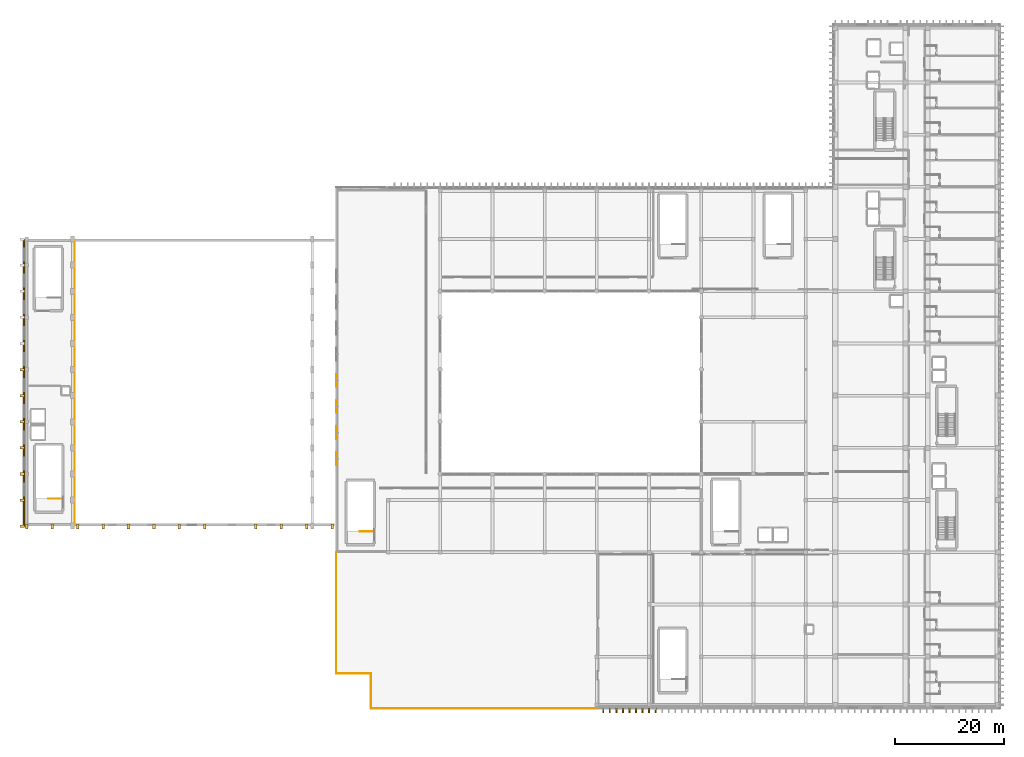
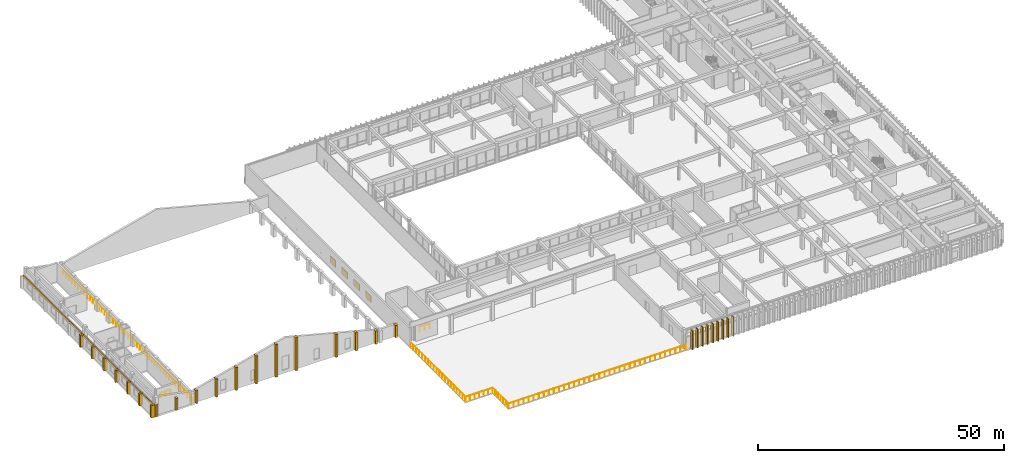
# One storey, part 89 of 101: 28 coverings, 13 shading devices, 4 railings.
"""IFC4 building model written with IfcOpenShell, lengths in metres."""

from ifc_helpers import new_model, si_unit, direction, frame, origin, origin_2d, place, context, subcontext, project, spatial, rectangle, circle, extrude, material, layer, layer_set, type_object, element, save


model = new_model("IFC4")

# Units and contexts
model_context = context("Model", 3, precision=1e-05, world=origin(), true_north=direction((0.0, 1.0)))
body_context = subcontext(model_context, "Body", "Model", "MODEL_VIEW")
ifc_project = project(units=[si_unit("LENGTHUNIT", "METRE"), si_unit("AREAUNIT", "SQUARE_METRE"), si_unit("VOLUMEUNIT", "CUBIC_METRE"), si_unit("PLANEANGLEUNIT", "RADIAN"), si_unit("MASSUNIT", "GRAM", prefix="KILO")], contexts=[model_context])

# Site, building, storey
site_placement = place(None, origin())
site = spatial("IfcSite", under=ifc_project, at=site_placement, CompositionType="ELEMENT")
building_placement = place(site_placement, origin())
building = spatial("IfcBuilding", under=site, at=building_placement, Name="Nakhvara Creek Congress Hotel", CompositionType="ELEMENT")
storey_placement = place(building_placement, frame((0.0, 0.0, 16.199951171875)))
storey = spatial("IfcBuildingStorey", under=building, at=storey_placement, Name="L03", CompositionType="ELEMENT", Elevation=16.199951171875)

# Coverings
ifc_material_1 = material(Name="Honed pale Omani limestone architectural cladding", Category="masonry")
ifc_layer_1 = layer(ifc_material_1, 0.239990234375)
ifc_layer_set_1 = layer_set([ifc_layer_1], Name="Honed pale Omani limestone architectural cladding")
covering_type_1 = type_object("IfcCoveringType", Name="COV-ARCH-240", PredefinedType="CLADDING", material=ifc_layer_set_1)
covering_1_placement = place(storey_placement, frame((0.2099609375, 60.0, 2.419921875), z_axis=(0.0, 0.0, 1.0), x_axis=(0.0, 1.0, 0.0)))
element("IfcCovering", 1, at=covering_1_placement, inside=storey, type_object=covering_type_1, Name="Pale Limestone Spandrel Band CF04-0040", PredefinedType="CLADDING", context=body_context, shape_type="SweptSolid", body=[
    extrude(rectangle(XDim=52.800048828125, YDim=0.260009765625, at=origin_2d()), origin(), (0.0, 0.0, 1.0), 0.580078125),
])
ifc_layer_2 = layer(ifc_material_1, 0.449951171875)
ifc_layer_set_2 = layer_set([ifc_layer_2], Name="Honed pale Omani limestone architectural cladding")
covering_type_2 = type_object("IfcCoveringType", Name="COV-BUTT-850", PredefinedType="CLADDING", material=ifc_layer_set_2)
for number, where, z_axis, x_axis, name in (
    (2, (-0.06494140625, 33.60009765625, 0.0), (0.0, 0.0, 1.0), (0.0, 1.0, 0.0), "Gothic Limestone Buttress Pier CF03-0509"),
    (3, (-0.06494140625, 38.39990234375, 0.0), (0.0, 0.0, 1.0), (0.0, 1.0, 0.0), "Gothic Limestone Buttress Pier CF03-0510"),
    (4, (-0.06494140625, 43.199951171875, 0.0), (0.0, 0.0, 1.0), (0.0, 1.0, 0.0), "Gothic Limestone Buttress Pier CF03-0511"),
    (5, (-0.06494140625, 48.0, 0.0), (0.0, 0.0, 1.0), (0.0, 1.0, 0.0), "Gothic Limestone Buttress Pier CF03-0512"),
    (6, (-0.06494140625, 52.800048828125, 0.0), (0.0, 0.0, 1.0), (0.0, 1.0, 0.0), "Gothic Limestone Buttress Pier CF03-0513"),
    (7, (-0.06494140625, 57.60009765625, 0.0), (0.0, 0.0, 1.0), (0.0, 1.0, 0.0), "Gothic Limestone Buttress Pier CF03-0514"),
    (8, (-0.06494140625, 62.39990234375, 0.0), (0.0, 0.0, 1.0), (0.0, 1.0, 0.0), "Gothic Limestone Buttress Pier CF03-0515"),
    (9, (0.75, 33.534912109375, 0.0), (0.0, 0.0, 1.0), (1.0, 0.0, 0.0), "Gothic Limestone Buttress Pier CF03-0521"),
    (10, (5.429931640625, 33.534912109375, 0.0), (0.0, 0.0, 1.0), (1.0, 0.0, 0.0), "Gothic Limestone Buttress Pier CF03-0522"),
):
    element("IfcCovering", number, at=place(storey_placement, frame(where, z_axis=z_axis, x_axis=x_axis)), inside=storey, type_object=covering_type_2, Name=name, PredefinedType="CLADDING", context=body_context, shape_type="SweptSolid", body=[
        extrude(rectangle(XDim=0.47998046875, YDim=0.85009765625, at=origin_2d()), origin(), (0.0, 0.0, 1.0), 3.0),
    ])
covering_2_placement = place(storey_placement, frame((10.110107421875, 33.534912109375, 0.0), z_axis=(0.0, 0.0, 1.0), x_axis=(1.0, 0.0, 0.0)))
element("IfcCovering", 11, at=covering_2_placement, inside=storey, type_object=covering_type_2, Name="Gothic Limestone Buttress Pier CF03-0523", PredefinedType="CLADDING", context=body_context, shape_type="SweptSolid", body=[
    extrude(rectangle(XDim=0.47998046875, YDim=0.85009765625, at=origin_2d()), origin(), (0.0, 0.0, 1.0), 3.250732421875),
])
covering_3_placement = place(storey_placement, frame((14.7900390625, 33.534912109375, 0.0), z_axis=(0.0, 0.0, 1.0), x_axis=(1.0, 0.0, 0.0)))
element("IfcCovering", 12, at=covering_3_placement, inside=storey, type_object=covering_type_2, Name="Gothic Limestone Buttress Pier CF03-0524", PredefinedType="CLADDING", context=body_context, shape_type="SweptSolid", body=[
    extrude(rectangle(XDim=0.47998046875, YDim=0.85009765625, at=origin_2d()), origin(), (0.0, 0.0, 1.0), 4.473388671875),
])
covering_4_placement = place(storey_placement, frame((19.469970703125, 33.534912109375, 0.0), z_axis=(0.0, 0.0, 1.0), x_axis=(1.0, 0.0, 0.0)))
element("IfcCovering", 13, at=covering_4_placement, inside=storey, type_object=covering_type_2, Name="Gothic Limestone Buttress Pier CF03-0525", PredefinedType="CLADDING", context=body_context, shape_type="SweptSolid", body=[
    extrude(rectangle(XDim=0.47998046875, YDim=0.85009765625, at=origin_2d()), origin(), (0.0, 0.0, 1.0), 5.69580078125),
])
covering_5_placement = place(storey_placement, frame((24.14990234375, 33.534912109375, 0.0), z_axis=(0.0, 0.0, 1.0), x_axis=(1.0, 0.0, 0.0)))
element("IfcCovering", 14, at=covering_5_placement, inside=storey, type_object=covering_type_2, Name="Gothic Limestone Buttress Pier CF03-0526", PredefinedType="CLADDING", context=body_context, shape_type="SweptSolid", body=[
    extrude(rectangle(XDim=0.47998046875, YDim=0.85009765625, at=origin_2d()), origin(), (0.0, 0.0, 1.0), 6.91845703125),
])
covering_6_placement = place(storey_placement, frame((28.830078125, 33.534912109375, 0.0), z_axis=(0.0, 0.0, 1.0), x_axis=(1.0, 0.0, 0.0)))
element("IfcCovering", 15, at=covering_6_placement, inside=storey, type_object=covering_type_2, Name="Gothic Limestone Buttress Pier CF03-0527", PredefinedType="CLADDING", context=body_context, shape_type="SweptSolid", body=[
    extrude(rectangle(XDim=0.47998046875, YDim=0.85009765625, at=origin_2d()), origin(), (0.0, 0.0, 1.0), 8.140869140625),
])
covering_7_placement = place(storey_placement, frame((33.510009765625, 33.534912109375, 0.0), z_axis=(0.0, 0.0, 1.0), x_axis=(1.0, 0.0, 0.0)))
element("IfcCovering", 16, at=covering_7_placement, inside=storey, type_object=covering_type_2, Name="Gothic Limestone Buttress Pier CF03-0528", PredefinedType="CLADDING", context=body_context, shape_type="SweptSolid", body=[
    extrude(rectangle(XDim=0.47998046875, YDim=0.85009765625, at=origin_2d()), origin(), (0.0, 0.0, 1.0), 8.156494140625),
])
covering_8_placement = place(storey_placement, frame((42.8701171875, 33.534912109375, 0.0), z_axis=(0.0, 0.0, 1.0), x_axis=(1.0, 0.0, 0.0)))
element("IfcCovering", 17, at=covering_8_placement, inside=storey, type_object=covering_type_2, Name="Gothic Limestone Buttress Pier CF03-0529", PredefinedType="CLADDING", context=body_context, shape_type="SweptSolid", body=[
    extrude(rectangle(XDim=0.47998046875, YDim=0.85009765625, at=origin_2d()), origin(), (0.0, 0.0, 1.0), 5.71142578125),
])
covering_9_placement = place(storey_placement, frame((47.550048828125, 33.534912109375, 0.0), z_axis=(0.0, 0.0, 1.0), x_axis=(1.0, 0.0, 0.0)))
element("IfcCovering", 18, at=covering_9_placement, inside=storey, type_object=covering_type_2, Name="Gothic Limestone Buttress Pier CF03-0530", PredefinedType="CLADDING", context=body_context, shape_type="SweptSolid", body=[
    extrude(rectangle(XDim=0.47998046875, YDim=0.85009765625, at=origin_2d()), origin(), (0.0, 0.0, 1.0), 4.489013671875),
])
covering_10_placement = place(storey_placement, frame((52.22998046875, 33.534912109375, 0.0), z_axis=(0.0, 0.0, 1.0), x_axis=(1.0, 0.0, 0.0)))
element("IfcCovering", 19, at=covering_10_placement, inside=storey, type_object=covering_type_2, Name="Gothic Limestone Buttress Pier CF03-0531", PredefinedType="CLADDING", context=body_context, shape_type="SweptSolid", body=[
    extrude(rectangle(XDim=0.47998046875, YDim=0.85009765625, at=origin_2d()), origin(), (0.0, 0.0, 1.0), 3.266357421875),
])
covering_11_placement = place(storey_placement, frame((56.909912109375, 33.534912109375, 0.0), z_axis=(0.0, 0.0, 1.0), x_axis=(1.0, 0.0, 0.0)))
element("IfcCovering", 20, at=covering_11_placement, inside=storey, type_object=covering_type_2, Name="Gothic Limestone Buttress Pier CF03-0532", PredefinedType="CLADDING", context=body_context, shape_type="SweptSolid", body=[
    extrude(rectangle(XDim=0.47998046875, YDim=0.85009765625, at=origin_2d()), origin(), (0.0, 0.0, 1.0), 3.0),
])
ifc_layer_3 = layer(ifc_material_1, 0.219970703125)
ifc_layer_set_3 = layer_set([ifc_layer_3], Name="Honed pale Omani limestone architectural cladding")
covering_type_3 = type_object("IfcCoveringType", Name="COV-FIN-850", PredefinedType="CLADDING", material=ifc_layer_set_3)
for number, where, z_axis, x_axis, name in (
    (21, (106.800048828125, -0.304931640625, 0.0), (0.0, 0.0, 1.0), (1.0, 0.0, 0.0), "Pale Limestone Fin Cladding CF01-0296"),
    (22, (108.0, -0.304931640625, 0.0), (0.0, 0.0, 1.0), (1.0, 0.0, 0.0), "Pale Limestone Fin Cladding CF01-0297"),
    (23, (109.199951171875, -0.304931640625, 0.0), (0.0, 0.0, 1.0), (1.0, 0.0, 0.0), "Pale Limestone Fin Cladding CF01-0298"),
    (24, (110.39990234375, -0.304931640625, 0.0), (0.0, 0.0, 1.0), (1.0, 0.0, 0.0), "Pale Limestone Fin Cladding CF01-0299"),
    (25, (111.60009765625, -0.304931640625, 0.0), (0.0, 0.0, 1.0), (1.0, 0.0, 0.0), "Pale Limestone Fin Cladding CF01-0300"),
    (26, (112.800048828125, -0.304931640625, 0.0), (0.0, 0.0, 1.0), (1.0, 0.0, 0.0), "Pale Limestone Fin Cladding CF01-0301"),
    (27, (114.0, -0.304931640625, 0.0), (0.0, 0.0, 1.0), (1.0, 0.0, 0.0), "Pale Limestone Fin Cladding CF01-0302"),
    (28, (115.199951171875, -0.304931640625, 0.0), (0.0, 0.0, 1.0), (1.0, 0.0, 0.0), "Pale Limestone Fin Cladding CF01-0303"),
):
    element("IfcCovering", number, at=place(storey_placement, frame(where, z_axis=z_axis, x_axis=x_axis)), inside=storey, type_object=covering_type_3, Name=name, PredefinedType="CLADDING", context=body_context, shape_type="SweptSolid", body=[
        extrude(rectangle(XDim=0.219970703125, YDim=0.85009765625, at=origin_2d()), origin(), (0.0, 0.0, 1.0), 4.719970703125),
    ])

# Railings
ifc_material_2 = material(Name="Bronze-anodised aluminium and laminated safety glass balustrade", Category="aluminium")
railing_type_1 = type_object("IfcRailingType", Name="RL-BALUS-1200", PredefinedType="BALUSTRADE", material=ifc_material_2)
railing_1_placement = place(storey_placement, frame((57.679931640625, 28.760009765625, 0.0)))
element("IfcRailing", 29, at=railing_1_placement, inside=storey, type_object=railing_type_1, Name="Terrace Balustrade GR02-L03-001", PredefinedType="BALUSTRADE", context=body_context, shape_type="SweptSolid", body=[
    extrude(circle(Radius=0.02392578125, at=origin_2d()), frame((0.0, -0.0146484375, 1.17578125), z_axis=(0.0, -1.0, 0.0), x_axis=(1.0, 0.0, 0.0)), (0.0, 0.0, 1.0), 22.250732421875),
    extrude(circle(Radius=0.02392578125, at=origin_2d()), frame((0.0146484375, -22.280029296875, 1.17578125), z_axis=(1.0, 0.0, 0.0), x_axis=(0.0, 1.0, 0.0)), (0.0, 0.0, 1.0), 6.370849609375),
    extrude(circle(Radius=0.02392578125, at=origin_2d()), frame((6.400146484375, -22.294677734375, 1.17578125), z_axis=(0.0, -1.0, 0.0), x_axis=(1.0, 0.0, 0.0)), (0.0, 0.0, 1.0), 6.37060546875),
    extrude(circle(Radius=0.02392578125, at=origin_2d()), frame((6.414794921875, -28.679931640625, 1.17578125), z_axis=(1.0, 0.0, 0.0), x_axis=(0.0, 1.0, 0.0)), (0.0, 0.0, 1.0), 41.45068359375),
    extrude(circle(Radius=0.02099609375, at=origin_2d()), origin(), (0.0, 0.0, 1.0), 1.1806640625),
    extrude(circle(Radius=0.02099609375, at=origin_2d()), frame((0.0, -1.172607421875, 0.0)), (0.0, 0.0, 1.0), 1.1806640625),
    extrude(circle(Radius=0.02099609375, at=origin_2d()), frame((0.0, -2.34521484375, 0.0)), (0.0, 0.0, 1.0), 1.1806640625),
    extrude(circle(Radius=0.02099609375, at=origin_2d()), frame((0.0, -3.517822265625, 0.0)), (0.0, 0.0, 1.0), 1.1806640625),
    extrude(circle(Radius=0.02099609375, at=origin_2d()), frame((0.0, -4.6904296875, 0.0)), (0.0, 0.0, 1.0), 1.1806640625),
    extrude(circle(Radius=0.02099609375, at=origin_2d()), frame((0.0, -5.86328125, 0.0)), (0.0, 0.0, 1.0), 1.1806640625),
    extrude(circle(Radius=0.02099609375, at=origin_2d()), frame((0.0, -7.035888671875, 0.0)), (0.0, 0.0, 1.0), 1.1806640625),
    extrude(circle(Radius=0.02099609375, at=origin_2d()), frame((0.0, -8.20849609375, 0.0)), (0.0, 0.0, 1.0), 1.1806640625),
    extrude(circle(Radius=0.02099609375, at=origin_2d()), frame((0.0, -9.381103515625, 0.0)), (0.0, 0.0, 1.0), 1.1806640625),
    extrude(circle(Radius=0.02099609375, at=origin_2d()), frame((0.0, -10.5537109375, 0.0)), (0.0, 0.0, 1.0), 1.1806640625),
    extrude(circle(Radius=0.02099609375, at=origin_2d()), frame((0.0, -11.726318359375, 0.0)), (0.0, 0.0, 1.0), 1.1806640625),
    extrude(circle(Radius=0.02099609375, at=origin_2d()), frame((0.0, -12.89892578125, 0.0)), (0.0, 0.0, 1.0), 1.1806640625),
    extrude(circle(Radius=0.02099609375, at=origin_2d()), frame((0.0, -14.071533203125, 0.0)), (0.0, 0.0, 1.0), 1.1806640625),
    extrude(circle(Radius=0.02099609375, at=origin_2d()), frame((0.0, -15.244140625, 0.0)), (0.0, 0.0, 1.0), 1.1806640625),
    extrude(circle(Radius=0.02099609375, at=origin_2d()), frame((0.0, -16.416748046875, 0.0)), (0.0, 0.0, 1.0), 1.1806640625),
    extrude(circle(Radius=0.02099609375, at=origin_2d()), frame((0.0, -17.589599609375, 0.0)), (0.0, 0.0, 1.0), 1.1806640625),
    extrude(circle(Radius=0.02099609375, at=origin_2d()), frame((0.0, -18.76220703125, 0.0)), (0.0, 0.0, 1.0), 1.1806640625),
    extrude(circle(Radius=0.02099609375, at=origin_2d()), frame((0.0, -19.934814453125, 0.0)), (0.0, 0.0, 1.0), 1.1806640625),
    extrude(circle(Radius=0.02099609375, at=origin_2d()), frame((0.0, -21.107421875, 0.0)), (0.0, 0.0, 1.0), 1.1806640625),
    extrude(circle(Radius=0.02099609375, at=origin_2d()), frame((0.0, -22.280029296875, 0.0)), (0.0, 0.0, 1.0), 1.1806640625),
    extrude(circle(Radius=0.02099609375, at=origin_2d()), frame((1.066650390625, -22.280029296875, 0.0)), (0.0, 0.0, 1.0), 1.1806640625),
    extrude(circle(Radius=0.02099609375, at=origin_2d()), frame((2.13330078125, -22.280029296875, 0.0)), (0.0, 0.0, 1.0), 1.1806640625),
    extrude(circle(Radius=0.02099609375, at=origin_2d()), frame((3.2001953125, -22.280029296875, 0.0)), (0.0, 0.0, 1.0), 1.1806640625),
    extrude(circle(Radius=0.02099609375, at=origin_2d()), frame((4.266845703125, -22.280029296875, 0.0)), (0.0, 0.0, 1.0), 1.1806640625),
    extrude(circle(Radius=0.02099609375, at=origin_2d()), frame((5.33349609375, -22.280029296875, 0.0)), (0.0, 0.0, 1.0), 1.1806640625),
    extrude(circle(Radius=0.02099609375, at=origin_2d()), frame((6.400146484375, -22.280029296875, 0.0)), (0.0, 0.0, 1.0), 1.1806640625),
    extrude(circle(Radius=0.02099609375, at=origin_2d()), frame((6.400146484375, -23.3466796875, 0.0)), (0.0, 0.0, 1.0), 1.1806640625),
    extrude(circle(Radius=0.02099609375, at=origin_2d()), frame((6.400146484375, -24.413330078125, 0.0)), (0.0, 0.0, 1.0), 1.1806640625),
    extrude(circle(Radius=0.02099609375, at=origin_2d()), frame((6.400146484375, -25.47998046875, 0.0)), (0.0, 0.0, 1.0), 1.1806640625),
    extrude(circle(Radius=0.02099609375, at=origin_2d()), frame((6.400146484375, -26.546630859375, 0.0)), (0.0, 0.0, 1.0), 1.1806640625),
    extrude(circle(Radius=0.02099609375, at=origin_2d()), frame((6.400146484375, -27.61328125, 0.0)), (0.0, 0.0, 1.0), 1.1806640625),
    extrude(circle(Radius=0.02099609375, at=origin_2d()), frame((6.400146484375, -28.679931640625, 0.0)), (0.0, 0.0, 1.0), 1.1806640625),
    extrude(circle(Radius=0.02099609375, at=origin_2d()), frame((7.585205078125, -28.679931640625, 0.0)), (0.0, 0.0, 1.0), 1.1806640625),
    extrude(circle(Radius=0.02099609375, at=origin_2d()), frame((8.7705078125, -28.679931640625, 0.0)), (0.0, 0.0, 1.0), 1.1806640625),
    extrude(circle(Radius=0.02099609375, at=origin_2d()), frame((9.95556640625, -28.679931640625, 0.0)), (0.0, 0.0, 1.0), 1.1806640625),
    extrude(circle(Radius=0.02099609375, at=origin_2d()), frame((11.140625, -28.679931640625, 0.0)), (0.0, 0.0, 1.0), 1.1806640625),
    extrude(circle(Radius=0.02099609375, at=origin_2d()), frame((12.325927734375, -28.679931640625, 0.0)), (0.0, 0.0, 1.0), 1.1806640625),
    extrude(circle(Radius=0.02099609375, at=origin_2d()), frame((13.510986328125, -28.679931640625, 0.0)), (0.0, 0.0, 1.0), 1.1806640625),
    extrude(circle(Radius=0.02099609375, at=origin_2d()), frame((14.696044921875, -28.679931640625, 0.0)), (0.0, 0.0, 1.0), 1.1806640625),
    extrude(circle(Radius=0.02099609375, at=origin_2d()), frame((15.88134765625, -28.679931640625, 0.0)), (0.0, 0.0, 1.0), 1.1806640625),
    extrude(circle(Radius=0.02099609375, at=origin_2d()), frame((17.06640625, -28.679931640625, 0.0)), (0.0, 0.0, 1.0), 1.1806640625),
    extrude(circle(Radius=0.02099609375, at=origin_2d()), frame((18.25146484375, -28.679931640625, 0.0)), (0.0, 0.0, 1.0), 1.1806640625),
    extrude(circle(Radius=0.02099609375, at=origin_2d()), frame((19.436767578125, -28.679931640625, 0.0)), (0.0, 0.0, 1.0), 1.1806640625),
    extrude(circle(Radius=0.02099609375, at=origin_2d()), frame((20.621826171875, -28.679931640625, 0.0)), (0.0, 0.0, 1.0), 1.1806640625),
    extrude(circle(Radius=0.02099609375, at=origin_2d()), frame((21.806884765625, -28.679931640625, 0.0)), (0.0, 0.0, 1.0), 1.1806640625),
    extrude(circle(Radius=0.02099609375, at=origin_2d()), frame((22.9921875, -28.679931640625, 0.0)), (0.0, 0.0, 1.0), 1.1806640625),
    extrude(circle(Radius=0.02099609375, at=origin_2d()), frame((24.17724609375, -28.679931640625, 0.0)), (0.0, 0.0, 1.0), 1.1806640625),
    extrude(circle(Radius=0.02099609375, at=origin_2d()), frame((25.3623046875, -28.679931640625, 0.0)), (0.0, 0.0, 1.0), 1.1806640625),
    extrude(circle(Radius=0.02099609375, at=origin_2d()), frame((26.547607421875, -28.679931640625, 0.0)), (0.0, 0.0, 1.0), 1.1806640625),
    extrude(circle(Radius=0.02099609375, at=origin_2d()), frame((27.732666015625, -28.679931640625, 0.0)), (0.0, 0.0, 1.0), 1.1806640625),
    extrude(circle(Radius=0.02099609375, at=origin_2d()), frame((28.91796875, -28.679931640625, 0.0)), (0.0, 0.0, 1.0), 1.1806640625),
    extrude(circle(Radius=0.02099609375, at=origin_2d()), frame((30.10302734375, -28.679931640625, 0.0)), (0.0, 0.0, 1.0), 1.1806640625),
    extrude(circle(Radius=0.02099609375, at=origin_2d()), frame((31.2880859375, -28.679931640625, 0.0)), (0.0, 0.0, 1.0), 1.1806640625),
    extrude(circle(Radius=0.02099609375, at=origin_2d()), frame((32.473388671875, -28.679931640625, 0.0)), (0.0, 0.0, 1.0), 1.1806640625),
    extrude(circle(Radius=0.02099609375, at=origin_2d()), frame((33.658447265625, -28.679931640625, 0.0)), (0.0, 0.0, 1.0), 1.1806640625),
    extrude(circle(Radius=0.02099609375, at=origin_2d()), frame((34.843505859375, -28.679931640625, 0.0)), (0.0, 0.0, 1.0), 1.1806640625),
    extrude(circle(Radius=0.02099609375, at=origin_2d()), frame((36.02880859375, -28.679931640625, 0.0)), (0.0, 0.0, 1.0), 1.1806640625),
    extrude(circle(Radius=0.02099609375, at=origin_2d()), frame((37.2138671875, -28.679931640625, 0.0)), (0.0, 0.0, 1.0), 1.1806640625),
    extrude(circle(Radius=0.02099609375, at=origin_2d()), frame((38.39892578125, -28.679931640625, 0.0)), (0.0, 0.0, 1.0), 1.1806640625),
    extrude(circle(Radius=0.02099609375, at=origin_2d()), frame((39.584228515625, -28.679931640625, 0.0)), (0.0, 0.0, 1.0), 1.1806640625),
    extrude(circle(Radius=0.02099609375, at=origin_2d()), frame((40.769287109375, -28.679931640625, 0.0)), (0.0, 0.0, 1.0), 1.1806640625),
    extrude(circle(Radius=0.02099609375, at=origin_2d()), frame((41.954345703125, -28.679931640625, 0.0)), (0.0, 0.0, 1.0), 1.1806640625),
    extrude(circle(Radius=0.02099609375, at=origin_2d()), frame((43.1396484375, -28.679931640625, 0.0)), (0.0, 0.0, 1.0), 1.1806640625),
    extrude(circle(Radius=0.02099609375, at=origin_2d()), frame((44.32470703125, -28.679931640625, 0.0)), (0.0, 0.0, 1.0), 1.1806640625),
    extrude(circle(Radius=0.02099609375, at=origin_2d()), frame((45.509765625, -28.679931640625, 0.0)), (0.0, 0.0, 1.0), 1.1806640625),
    extrude(circle(Radius=0.02099609375, at=origin_2d()), frame((46.695068359375, -28.679931640625, 0.0)), (0.0, 0.0, 1.0), 1.1806640625),
    extrude(circle(Radius=0.02099609375, at=origin_2d()), frame((47.880126953125, -28.679931640625, 0.0)), (0.0, 0.0, 1.0), 1.1806640625),
])
ifc_material_3 = material(Name="Brushed stainless steel 316L", Category="steel")
railing_type_2 = type_object("IfcRailingType", Name="RL-GUARD-1200", PredefinedType="GUARDRAIL", material=ifc_material_3)
railing_2_placement = place(storey_placement, frame((7.070068359375, 38.6298828125, 0.0)))
element("IfcRailing", 30, at=railing_2_placement, inside=storey, type_object=railing_type_2, Name="L03 ST05 top well guard 1", PredefinedType="GUARDRAIL", context=body_context, shape_type="SweptSolid", body=[
    extrude(circle(Radius=0.02392578125, at=origin_2d()), frame((-0.0146484375, 0.0, 1.17578125), z_axis=(-1.0, 0.0, 0.0), x_axis=(0.0, -1.0, 0.0)), (0.0, 0.0, 1.0), 2.310791015625),
    extrude(circle(Radius=0.02099609375, at=origin_2d()), origin(), (0.0, 0.0, 1.0), 1.1806640625),
    extrude(circle(Radius=0.02099609375, at=origin_2d()), frame((-1.169921875, 0.0, 0.0)), (0.0, 0.0, 1.0), 1.1806640625),
    extrude(circle(Radius=0.02099609375, at=origin_2d()), frame((-2.340087890625, 0.0, 0.0)), (0.0, 0.0, 1.0), 1.1806640625),
])
railing_3_placement = place(storey_placement, frame((64.389892578125, 32.6298828125, 0.0)))
element("IfcRailing", 31, at=railing_3_placement, inside=storey, type_object=railing_type_2, Name="L03 ST13 top well guard 1", PredefinedType="GUARDRAIL", context=body_context, shape_type="SweptSolid", body=[
    extrude(circle(Radius=0.02392578125, at=origin_2d()), frame((-0.0146484375, 0.0, 1.17578125), z_axis=(-1.0, 0.0, 0.0), x_axis=(0.0, -1.0, 0.0)), (0.0, 0.0, 1.0), 2.310546875),
    extrude(circle(Radius=0.02099609375, at=origin_2d()), origin(), (0.0, 0.0, 1.0), 1.1806640625),
    extrude(circle(Radius=0.02099609375, at=origin_2d()), frame((-1.169921875, 0.0, 0.0)), (0.0, 0.0, 1.0), 1.1806640625),
    extrude(circle(Radius=0.02099609375, at=origin_2d()), frame((-2.33984375, 0.0, 0.0)), (0.0, 0.0, 1.0), 1.1806640625),
])
railing_4_placement = place(storey_placement, frame((9.52001953125, 33.699951171875, 0.0)))
element("IfcRailing", 32, at=railing_4_placement, inside=storey, type_object=railing_type_2, Name="Congress Plant Gallery Guard L03", PredefinedType="GUARDRAIL", context=body_context, shape_type="SweptSolid", body=[
    extrude(circle(Radius=0.02392578125, at=origin_2d()), frame((0.0, 0.0146484375, 1.17578125), z_axis=(0.0, 1.0, 0.0), x_axis=(-1.0, 0.0, 0.0)), (0.0, 0.0, 1.0), 52.57080078125),
    extrude(circle(Radius=0.02099609375, at=origin_2d()), origin(), (0.0, 0.0, 1.0), 1.1806640625),
    extrude(circle(Radius=0.02099609375, at=origin_2d()), frame((0.0, 1.195556640625, 0.0)), (0.0, 0.0, 1.0), 1.1806640625),
    extrude(circle(Radius=0.02099609375, at=origin_2d()), frame((0.0, 2.390869140625, 0.0)), (0.0, 0.0, 1.0), 1.1806640625),
    extrude(circle(Radius=0.02099609375, at=origin_2d()), frame((0.0, 3.58642578125, 0.0)), (0.0, 0.0, 1.0), 1.1806640625),
    extrude(circle(Radius=0.02099609375, at=origin_2d()), frame((0.0, 4.78173828125, 0.0)), (0.0, 0.0, 1.0), 1.1806640625),
    extrude(circle(Radius=0.02099609375, at=origin_2d()), frame((0.0, 5.977294921875, 0.0)), (0.0, 0.0, 1.0), 1.1806640625),
    extrude(circle(Radius=0.02099609375, at=origin_2d()), frame((0.0, 7.1728515625, 0.0)), (0.0, 0.0, 1.0), 1.1806640625),
    extrude(circle(Radius=0.02099609375, at=origin_2d()), frame((0.0, 8.3681640625, 0.0)), (0.0, 0.0, 1.0), 1.1806640625),
    extrude(circle(Radius=0.02099609375, at=origin_2d()), frame((0.0, 9.563720703125, 0.0)), (0.0, 0.0, 1.0), 1.1806640625),
    extrude(circle(Radius=0.02099609375, at=origin_2d()), frame((0.0, 10.759033203125, 0.0)), (0.0, 0.0, 1.0), 1.1806640625),
    extrude(circle(Radius=0.02099609375, at=origin_2d()), frame((0.0, 11.95458984375, 0.0)), (0.0, 0.0, 1.0), 1.1806640625),
    extrude(circle(Radius=0.02099609375, at=origin_2d()), frame((0.0, 13.14990234375, 0.0)), (0.0, 0.0, 1.0), 1.1806640625),
    extrude(circle(Radius=0.02099609375, at=origin_2d()), frame((0.0, 14.345458984375, 0.0)), (0.0, 0.0, 1.0), 1.1806640625),
    extrude(circle(Radius=0.02099609375, at=origin_2d()), frame((0.0, 15.541015625, 0.0)), (0.0, 0.0, 1.0), 1.1806640625),
    extrude(circle(Radius=0.02099609375, at=origin_2d()), frame((0.0, 16.736328125, 0.0)), (0.0, 0.0, 1.0), 1.1806640625),
    extrude(circle(Radius=0.02099609375, at=origin_2d()), frame((0.0, 17.931884765625, 0.0)), (0.0, 0.0, 1.0), 1.1806640625),
    extrude(circle(Radius=0.02099609375, at=origin_2d()), frame((0.0, 19.127197265625, 0.0)), (0.0, 0.0, 1.0), 1.1806640625),
    extrude(circle(Radius=0.02099609375, at=origin_2d()), frame((0.0, 20.32275390625, 0.0)), (0.0, 0.0, 1.0), 1.1806640625),
    extrude(circle(Radius=0.02099609375, at=origin_2d()), frame((0.0, 21.518310546875, 0.0)), (0.0, 0.0, 1.0), 1.1806640625),
    extrude(circle(Radius=0.02099609375, at=origin_2d()), frame((0.0, 22.713623046875, 0.0)), (0.0, 0.0, 1.0), 1.1806640625),
    extrude(circle(Radius=0.02099609375, at=origin_2d()), frame((0.0, 23.9091796875, 0.0)), (0.0, 0.0, 1.0), 1.1806640625),
    extrude(circle(Radius=0.02099609375, at=origin_2d()), frame((0.0, 25.1044921875, 0.0)), (0.0, 0.0, 1.0), 1.1806640625),
    extrude(circle(Radius=0.02099609375, at=origin_2d()), frame((0.0, 26.300048828125, 0.0)), (0.0, 0.0, 1.0), 1.1806640625),
    extrude(circle(Radius=0.02099609375, at=origin_2d()), frame((0.0, 27.49560546875, 0.0)), (0.0, 0.0, 1.0), 1.1806640625),
    extrude(circle(Radius=0.02099609375, at=origin_2d()), frame((0.0, 28.69091796875, 0.0)), (0.0, 0.0, 1.0), 1.1806640625),
    extrude(circle(Radius=0.02099609375, at=origin_2d()), frame((0.0, 29.886474609375, 0.0)), (0.0, 0.0, 1.0), 1.1806640625),
    extrude(circle(Radius=0.02099609375, at=origin_2d()), frame((0.0, 31.081787109375, 0.0)), (0.0, 0.0, 1.0), 1.1806640625),
    extrude(circle(Radius=0.02099609375, at=origin_2d()), frame((0.0, 32.27734375, 0.0)), (0.0, 0.0, 1.0), 1.1806640625),
    extrude(circle(Radius=0.02099609375, at=origin_2d()), frame((0.0, 33.472900390625, 0.0)), (0.0, 0.0, 1.0), 1.1806640625),
    extrude(circle(Radius=0.02099609375, at=origin_2d()), frame((0.0, 34.668212890625, 0.0)), (0.0, 0.0, 1.0), 1.1806640625),
    extrude(circle(Radius=0.02099609375, at=origin_2d()), frame((0.0, 35.86376953125, 0.0)), (0.0, 0.0, 1.0), 1.1806640625),
    extrude(circle(Radius=0.02099609375, at=origin_2d()), frame((0.0, 37.05908203125, 0.0)), (0.0, 0.0, 1.0), 1.1806640625),
    extrude(circle(Radius=0.02099609375, at=origin_2d()), frame((0.0, 38.254638671875, 0.0)), (0.0, 0.0, 1.0), 1.1806640625),
    extrude(circle(Radius=0.02099609375, at=origin_2d()), frame((0.0, 39.4501953125, 0.0)), (0.0, 0.0, 1.0), 1.1806640625),
    extrude(circle(Radius=0.02099609375, at=origin_2d()), frame((0.0, 40.6455078125, 0.0)), (0.0, 0.0, 1.0), 1.1806640625),
    extrude(circle(Radius=0.02099609375, at=origin_2d()), frame((0.0, 41.841064453125, 0.0)), (0.0, 0.0, 1.0), 1.1806640625),
    extrude(circle(Radius=0.02099609375, at=origin_2d()), frame((0.0, 43.036376953125, 0.0)), (0.0, 0.0, 1.0), 1.1806640625),
    extrude(circle(Radius=0.02099609375, at=origin_2d()), frame((0.0, 44.23193359375, 0.0)), (0.0, 0.0, 1.0), 1.1806640625),
    extrude(circle(Radius=0.02099609375, at=origin_2d()), frame((0.0, 45.42724609375, 0.0)), (0.0, 0.0, 1.0), 1.1806640625),
    extrude(circle(Radius=0.02099609375, at=origin_2d()), frame((0.0, 46.622802734375, 0.0)), (0.0, 0.0, 1.0), 1.1806640625),
    extrude(circle(Radius=0.02099609375, at=origin_2d()), frame((0.0, 47.818359375, 0.0)), (0.0, 0.0, 1.0), 1.1806640625),
    extrude(circle(Radius=0.02099609375, at=origin_2d()), frame((0.0, 49.013671875, 0.0)), (0.0, 0.0, 1.0), 1.1806640625),
    extrude(circle(Radius=0.02099609375, at=origin_2d()), frame((0.0, 50.209228515625, 0.0)), (0.0, 0.0, 1.0), 1.1806640625),
    extrude(circle(Radius=0.02099609375, at=origin_2d()), frame((0.0, 51.404541015625, 0.0)), (0.0, 0.0, 1.0), 1.1806640625),
    extrude(circle(Radius=0.02099609375, at=origin_2d()), frame((0.0, 52.60009765625, 0.0)), (0.0, 0.0, 1.0), 1.1806640625),
])

# Shading devices
ifc_material_4 = material(Name="Honed pale Omani limestone cladding on stainless steel spine", Category="masonry")
shading_device_type_1 = type_object("IfcShadingDeviceType", Name="SHD-FIN-850X4700", PredefinedType="USERDEFINED", material=ifc_material_4)
for number, where, z_axis, x_axis, name in (
    (33, (106.800048828125, -0.304931640625, 0.0), (0.0, 0.0, 1.0), (1.0, 0.0, 0.0), "Limestone Solar Fin FN02-0296"),
    (34, (108.0, -0.304931640625, 0.0), (0.0, 0.0, 1.0), (1.0, 0.0, 0.0), "Limestone Solar Fin FN02-0297"),
    (35, (109.199951171875, -0.304931640625, 0.0), (0.0, 0.0, 1.0), (1.0, 0.0, 0.0), "Limestone Solar Fin FN02-0298"),
    (36, (110.39990234375, -0.304931640625, 0.0), (0.0, 0.0, 1.0), (1.0, 0.0, 0.0), "Limestone Solar Fin FN02-0299"),
    (37, (111.60009765625, -0.304931640625, 0.0), (0.0, 0.0, 1.0), (1.0, 0.0, 0.0), "Limestone Solar Fin FN02-0300"),
    (38, (112.800048828125, -0.304931640625, 0.0), (0.0, 0.0, 1.0), (1.0, 0.0, 0.0), "Limestone Solar Fin FN02-0301"),
    (39, (114.0, -0.304931640625, 0.0), (0.0, 0.0, 1.0), (1.0, 0.0, 0.0), "Limestone Solar Fin FN02-0302"),
    (40, (115.199951171875, -0.304931640625, 0.0), (0.0, 0.0, 1.0), (1.0, 0.0, 0.0), "Limestone Solar Fin FN02-0303"),
    (41, (116.39990234375, -0.304931640625, 0.0), (0.0, 0.0, 1.0), (1.0, 0.0, 0.0), "Limestone Solar Fin FN02-0304"),
):
    element("IfcShadingDevice", number, at=place(storey_placement, frame(where, z_axis=z_axis, x_axis=x_axis)), inside=storey, type_object=shading_device_type_1, Name=name, ObjectType="FIN", PredefinedType="USERDEFINED", context=body_context, shape_type="SweptSolid", body=[
        extrude(rectangle(XDim=0.199951171875, YDim=0.85009765625, at=origin_2d()), origin(), (0.0, 0.0, 1.0), 4.719970703125),
    ])
ifc_material_5 = material(Name="Bronze-anodised aluminium acoustic weather louvre", Category="aluminium")
shading_device_type_2 = type_object("IfcShadingDeviceType", Name="SHD-LOUV-2400X1600", PredefinedType="JALOUSIE", material=ifc_material_5)
for number, where, z_axis, x_axis, name in (
    (42, (57.739990234375, 46.0, 1.199951171875), (0.0, 0.0, 1.0), (0.0, 1.0, 0.0), "Plant Acoustic Louvre LV01-01"),
    (43, (57.739990234375, 50.800048828125, 1.199951171875), (0.0, 0.0, 1.0), (0.0, 1.0, 0.0), "Plant Acoustic Louvre LV01-02"),
    (44, (57.739990234375, 55.60009765625, 1.199951171875), (0.0, 0.0, 1.0), (0.0, 1.0, 0.0), "Plant Acoustic Louvre LV01-03"),
    (45, (57.739990234375, 60.39990234375, 1.199951171875), (0.0, 0.0, 1.0), (0.0, 1.0, 0.0), "Plant Acoustic Louvre LV01-04"),
):
    element("IfcShadingDevice", number, at=place(storey_placement, frame(where, z_axis=z_axis, x_axis=x_axis)), inside=storey, type_object=shading_device_type_2, Name=name, PredefinedType="JALOUSIE", context=body_context, shape_type="SweptSolid", body=[
        extrude(rectangle(XDim=2.360107421875, YDim=0.1201171875, at=origin_2d()), origin(), (0.0, 0.0, 1.0), 1.60009765625),
    ])

save(model, "model.ifc")
